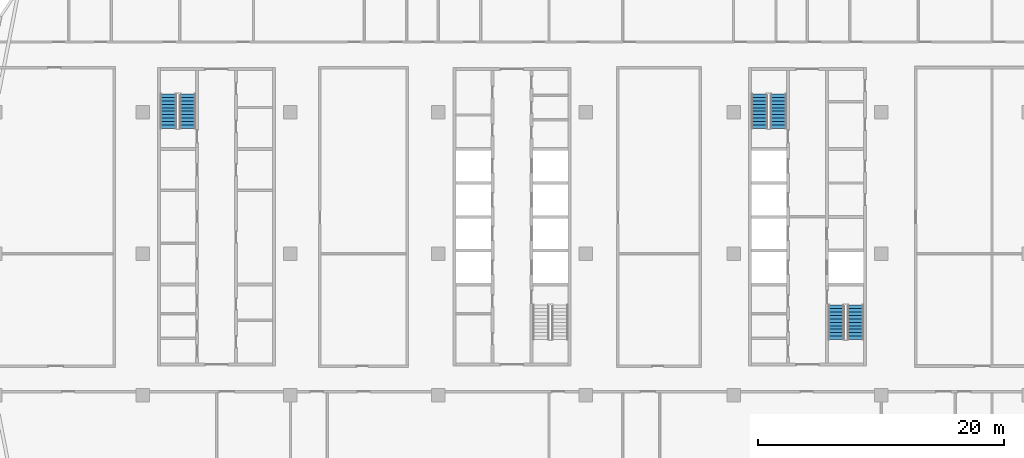
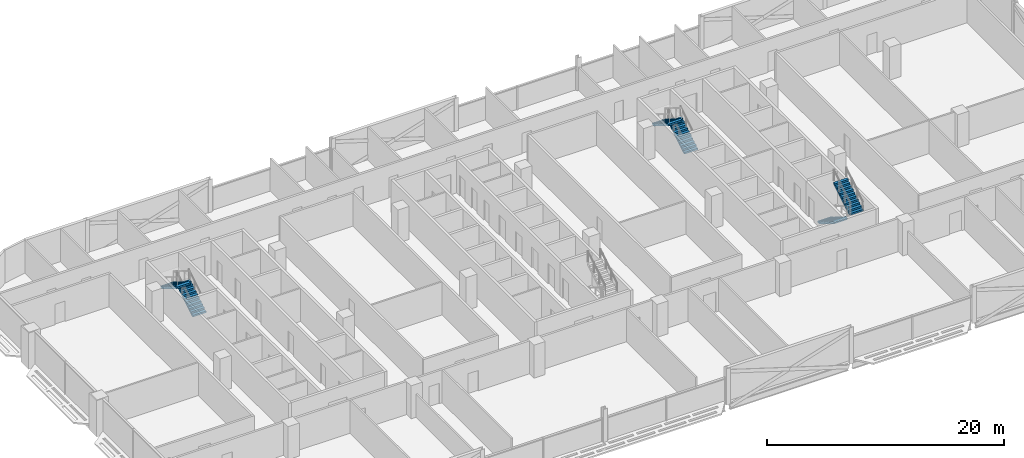
# One storey, part 19 of 30: 6 stair flights, 3 elements without a shape of their own.
"""IFC4 building model written with IfcOpenShell, lengths in metres."""

from ifc_helpers import new_model, si_unit, direction, frame, origin, place, context, subcontext, project, spatial, polyline, outline, extrude, material, type_object, element, aggregate, save


model = new_model("IFC4")

# Units and contexts
model_context = context("Model", 3, precision=1e-05, world=origin(), true_north=direction((0.0, 1.0)))
body_context = subcontext(model_context, "Body", "Model", "MODEL_VIEW")
ifc_project = project(units=[si_unit("LENGTHUNIT", "METRE"), si_unit("AREAUNIT", "SQUARE_METRE"), si_unit("VOLUMEUNIT", "CUBIC_METRE"), si_unit("PLANEANGLEUNIT", "RADIAN"), si_unit("MASSUNIT", "GRAM", prefix="KILO")], contexts=[model_context])

# Site, building, storey
site_placement = place(None, origin())
site = spatial("IfcSite", under=ifc_project, at=site_placement, CompositionType="ELEMENT")
building_placement = place(site_placement, origin())
building = spatial("IfcBuilding", under=site, at=building_placement, Name="Mahtab Terrace Research Tower", CompositionType="ELEMENT")
storey_placement = place(building_placement, frame((0.0, 0.0, 220.5)))
storey = spatial("IfcBuildingStorey", under=building, at=storey_placement, Name="L53", CompositionType="ELEMENT", Elevation=220.5)

# Stair, stair flights
ifc_material_1 = material(Name="Exit stair half-turn")
stair_type = type_object("IfcStairType", Name="Exit stair half-turn", PredefinedType="HALF_TURN_STAIR", material=ifc_material_1)
stair_1_placement = place(storey_placement, origin())
stair_1 = element("IfcStair", 1, at=stair_1_placement, inside=storey, type_object=stair_type, Name="L53 Protected exit stair ST1", PredefinedType="HALF_TURN_STAIR")
ifc_material_2 = material(Name="Concrete C40/50", Category="concrete")
stair_flight_type = type_object("IfcStairFlightType", Name="Exit stair flight 1300", PredefinedType="STRAIGHT", material=ifc_material_2)
stair_flight_1_placement = place(storey_placement, frame((-26.35009765625, 10.175048828125, 0.0), z_axis=(0.0, 0.0, 1.0), x_axis=(0.0, 1.0, 0.0)))
stair_flight_1 = element("IfcStairFlight", 2, at=stair_flight_1_placement, type_object=stair_flight_type, Name="ST1 flight 1", NumberOfRisers=11, NumberOfTreads=10, PredefinedType="STRAIGHT", RiserHeight=0.172727273, TreadLength=0.28, context=body_context, shape_type="SweptSolid", body=[
    extrude(outline(polyline([(0.0, 0.0), (0.0, 0.172607421875), (0.280029296875, 0.172607421875), (0.280029296875, 0.345458984375), (0.56005859375, 0.345458984375), (0.56005859375, 0.51806640625), (0.840087890625, 0.51806640625), (0.840087890625, 0.69091796875), (1.1201171875, 0.69091796875), (1.1201171875, 0.863525390625), (1.39990234375, 0.863525390625), (1.39990234375, 1.036376953125), (1.679931640625, 1.036376953125), (1.679931640625, 1.208984375), (1.9599609375, 1.208984375), (1.9599609375, 1.3818359375), (2.239990234375, 1.3818359375), (2.239990234375, 1.554443359375), (2.52001953125, 1.554443359375), (2.52001953125, 1.727294921875), (2.800048828125, 1.727294921875), (2.800048828125, 1.89990234375), (2.800048828125, 1.551025390625), (0.285400390625, 0.0), (0.0, 0.0)])), frame((0.0, 0.64990234375, 0.0), z_axis=(0.0, -1.0, 0.0), x_axis=(1.0, 0.0, 0.0)), (0.0, 0.0, 1.0), 1.300048828125),
])
stair_flight_2_placement = place(storey_placement, frame((-27.89990234375, 12.97509765625, 1.89990234375), z_axis=(0.0, 0.0, 1.0), x_axis=(0.0, -1.0, 0.0)))
stair_flight_2 = element("IfcStairFlight", 3, at=stair_flight_2_placement, type_object=stair_flight_type, Name="ST1 flight 2", NumberOfRisers=11, NumberOfTreads=10, PredefinedType="STRAIGHT", RiserHeight=0.172727273, TreadLength=0.28, context=body_context, shape_type="SweptSolid", body=[
    extrude(outline(polyline([(0.0, 0.0), (0.0, 0.172607421875), (0.280029296875, 0.172607421875), (0.280029296875, 0.345458984375), (0.56005859375, 0.345458984375), (0.56005859375, 0.51806640625), (0.840087890625, 0.51806640625), (0.840087890625, 0.69091796875), (1.1201171875, 0.69091796875), (1.1201171875, 0.863525390625), (1.39990234375, 0.863525390625), (1.39990234375, 1.036376953125), (1.679931640625, 1.036376953125), (1.679931640625, 1.208984375), (1.9599609375, 1.208984375), (1.9599609375, 1.3818359375), (2.239990234375, 1.3818359375), (2.239990234375, 1.554443359375), (2.52001953125, 1.554443359375), (2.52001953125, 1.727294921875), (2.800048828125, 1.727294921875), (2.800048828125, 1.89990234375), (2.800048828125, 1.551025390625), (0.285400390625, 0.0), (0.0, 0.0)])), frame((0.0, 0.64990234375, 0.0), z_axis=(0.0, -1.0, 0.0), x_axis=(1.0, 0.0, 0.0)), (0.0, 0.0, 1.0), 1.300048828125),
])
aggregate(stair_1, [stair_flight_1, stair_flight_2])

stair_2_placement = place(storey_placement, origin())
stair_2 = element("IfcStair", 4, at=stair_2_placement, inside=storey, type_object=stair_type, Name="L53 Protected exit stair ST3", PredefinedType="HALF_TURN_STAIR")
stair_flight_3_placement = place(storey_placement, frame((21.64990234375, 10.175048828125, 0.0), z_axis=(0.0, 0.0, 1.0), x_axis=(0.0, 1.0, 0.0)))
stair_flight_3 = element("IfcStairFlight", 5, at=stair_flight_3_placement, type_object=stair_flight_type, Name="ST3 flight 1", NumberOfRisers=11, NumberOfTreads=10, PredefinedType="STRAIGHT", RiserHeight=0.172727273, TreadLength=0.28, context=body_context, shape_type="SweptSolid", body=[
    extrude(outline(polyline([(0.0, 0.0), (0.0, 0.172607421875), (0.280029296875, 0.172607421875), (0.280029296875, 0.345458984375), (0.56005859375, 0.345458984375), (0.56005859375, 0.51806640625), (0.840087890625, 0.51806640625), (0.840087890625, 0.69091796875), (1.1201171875, 0.69091796875), (1.1201171875, 0.863525390625), (1.39990234375, 0.863525390625), (1.39990234375, 1.036376953125), (1.679931640625, 1.036376953125), (1.679931640625, 1.208984375), (1.9599609375, 1.208984375), (1.9599609375, 1.3818359375), (2.239990234375, 1.3818359375), (2.239990234375, 1.554443359375), (2.52001953125, 1.554443359375), (2.52001953125, 1.727294921875), (2.800048828125, 1.727294921875), (2.800048828125, 1.89990234375), (2.800048828125, 1.551025390625), (0.285400390625, 0.0), (0.0, 0.0)])), frame((0.0, 0.64990234375, 0.0), z_axis=(0.0, -1.0, 0.0), x_axis=(1.0, 0.0, 0.0)), (0.0, 0.0, 1.0), 1.300048828125),
])
stair_flight_4_placement = place(storey_placement, frame((20.10009765625, 12.97509765625, 1.89990234375), z_axis=(0.0, 0.0, 1.0), x_axis=(0.0, -1.0, 0.0)))
stair_flight_4 = element("IfcStairFlight", 6, at=stair_flight_4_placement, type_object=stair_flight_type, Name="ST3 flight 2", NumberOfRisers=11, NumberOfTreads=10, PredefinedType="STRAIGHT", RiserHeight=0.172727273, TreadLength=0.28, context=body_context, shape_type="SweptSolid", body=[
    extrude(outline(polyline([(0.0, 0.0), (0.0, 0.172607421875), (0.280029296875, 0.172607421875), (0.280029296875, 0.345458984375), (0.56005859375, 0.345458984375), (0.56005859375, 0.51806640625), (0.840087890625, 0.51806640625), (0.840087890625, 0.69091796875), (1.1201171875, 0.69091796875), (1.1201171875, 0.863525390625), (1.39990234375, 0.863525390625), (1.39990234375, 1.036376953125), (1.679931640625, 1.036376953125), (1.679931640625, 1.208984375), (1.9599609375, 1.208984375), (1.9599609375, 1.3818359375), (2.239990234375, 1.3818359375), (2.239990234375, 1.554443359375), (2.52001953125, 1.554443359375), (2.52001953125, 1.727294921875), (2.800048828125, 1.727294921875), (2.800048828125, 1.89990234375), (2.800048828125, 1.551025390625), (0.285400390625, 0.0), (0.0, 0.0)])), frame((0.0, 0.64990234375, 0.0), z_axis=(0.0, -1.0, 0.0), x_axis=(1.0, 0.0, 0.0)), (0.0, 0.0, 1.0), 1.300048828125),
])
aggregate(stair_2, [stair_flight_3, stair_flight_4])

stair_3_placement = place(storey_placement, origin())
stair_3 = element("IfcStair", 7, at=stair_3_placement, inside=storey, type_object=stair_type, Name="L53 Protected exit stair ST4", PredefinedType="HALF_TURN_STAIR")
stair_flight_5_placement = place(storey_placement, frame((26.35009765625, -4.175048828125, 0.0), z_axis=(0.0, 0.0, 1.0), x_axis=(0.0, -1.0, 0.0)))
stair_flight_5 = element("IfcStairFlight", 8, at=stair_flight_5_placement, type_object=stair_flight_type, Name="ST4 flight 1", NumberOfRisers=11, NumberOfTreads=10, PredefinedType="STRAIGHT", RiserHeight=0.172727273, TreadLength=0.28, context=body_context, shape_type="SweptSolid", body=[
    extrude(outline(polyline([(0.0, 0.0), (0.0, 0.172607421875), (0.280029296875, 0.172607421875), (0.280029296875, 0.345458984375), (0.56005859375, 0.345458984375), (0.56005859375, 0.51806640625), (0.840087890625, 0.51806640625), (0.840087890625, 0.69091796875), (1.1201171875, 0.69091796875), (1.1201171875, 0.863525390625), (1.39990234375, 0.863525390625), (1.39990234375, 1.036376953125), (1.679931640625, 1.036376953125), (1.679931640625, 1.208984375), (1.9599609375, 1.208984375), (1.9599609375, 1.3818359375), (2.239990234375, 1.3818359375), (2.239990234375, 1.554443359375), (2.52001953125, 1.554443359375), (2.52001953125, 1.727294921875), (2.800048828125, 1.727294921875), (2.800048828125, 1.89990234375), (2.800048828125, 1.551025390625), (0.285400390625, 0.0), (0.0, 0.0)])), frame((0.0, 0.64990234375, 0.0), z_axis=(0.0, -1.0, 0.0), x_axis=(1.0, 0.0, 0.0)), (0.0, 0.0, 1.0), 1.300048828125),
])
stair_flight_6_placement = place(storey_placement, frame((27.89990234375, -6.97509765625, 1.89990234375), z_axis=(0.0, 0.0, 1.0), x_axis=(0.0, 1.0, 0.0)))
stair_flight_6 = element("IfcStairFlight", 9, at=stair_flight_6_placement, type_object=stair_flight_type, Name="ST4 flight 2", NumberOfRisers=11, NumberOfTreads=10, PredefinedType="STRAIGHT", RiserHeight=0.172727273, TreadLength=0.28, context=body_context, shape_type="SweptSolid", body=[
    extrude(outline(polyline([(0.0, 0.0), (0.0, 0.172607421875), (0.280029296875, 0.172607421875), (0.280029296875, 0.345458984375), (0.56005859375, 0.345458984375), (0.56005859375, 0.51806640625), (0.840087890625, 0.51806640625), (0.840087890625, 0.69091796875), (1.1201171875, 0.69091796875), (1.1201171875, 0.863525390625), (1.39990234375, 0.863525390625), (1.39990234375, 1.036376953125), (1.679931640625, 1.036376953125), (1.679931640625, 1.208984375), (1.9599609375, 1.208984375), (1.9599609375, 1.3818359375), (2.239990234375, 1.3818359375), (2.239990234375, 1.554443359375), (2.52001953125, 1.554443359375), (2.52001953125, 1.727294921875), (2.800048828125, 1.727294921875), (2.800048828125, 1.89990234375), (2.800048828125, 1.551025390625), (0.285400390625, 0.0), (0.0, 0.0)])), frame((0.0, 0.64990234375, 0.0), z_axis=(0.0, -1.0, 0.0), x_axis=(1.0, 0.0, 0.0)), (0.0, 0.0, 1.0), 1.300048828125),
])
aggregate(stair_3, [stair_flight_5, stair_flight_6])

save(model, "model.ifc")
